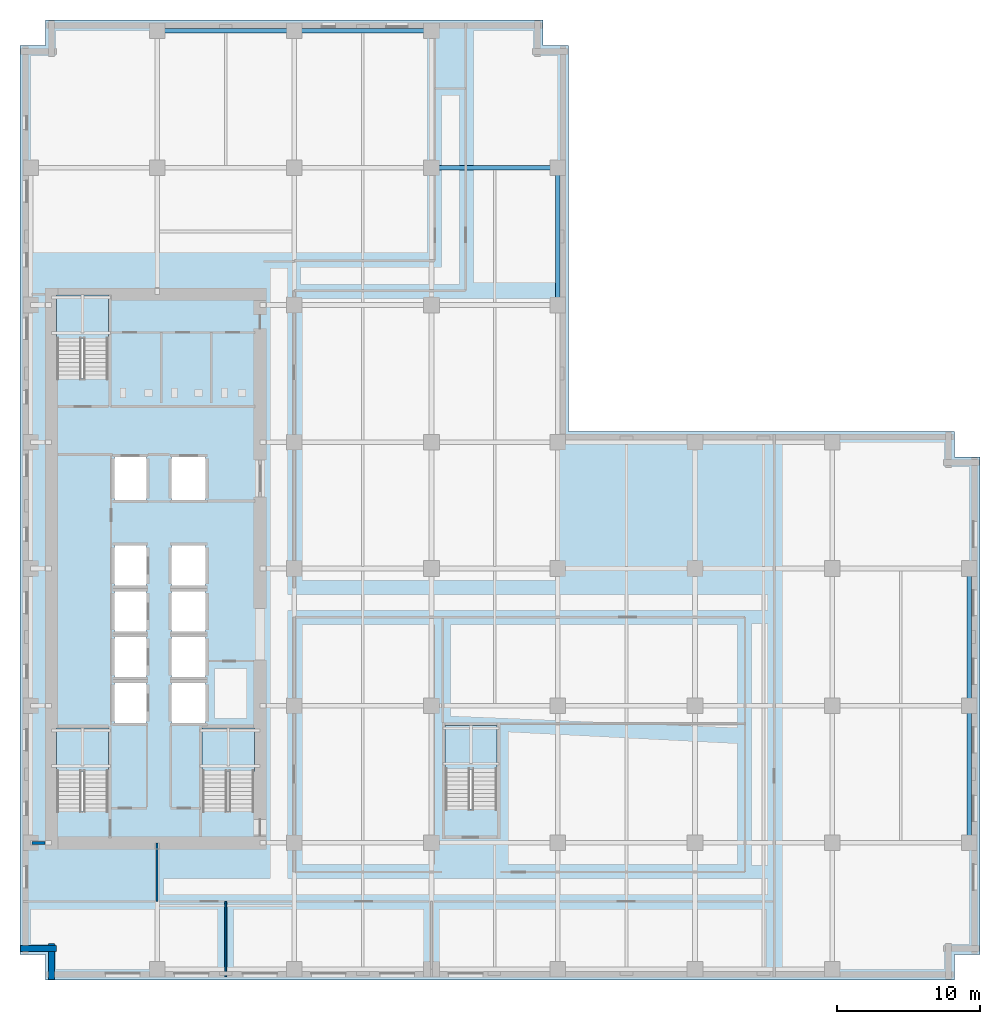
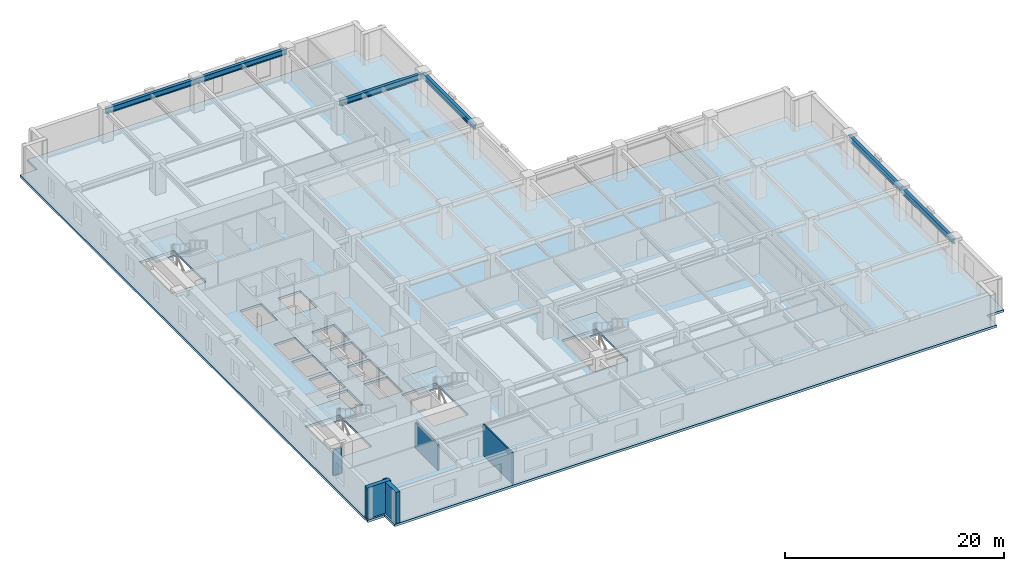
# One storey, part 3 of 15: 6 beams, 5 slabs, 5 walls, 4 elements without a shape of their own.
"""IFC4 building model written with IfcOpenShell, lengths in metres."""

from ifc_helpers import new_model, si_unit, direction, frame, frame_2d, origin, origin_2d, place, context, subcontext, project, spatial, polyline, rectangle, i_section, outline, extrude, material, layer, layer_set, material_profile, profile_set, type_object, element, aggregate, save


model = new_model("IFC4")

# Units and contexts
model_context = context("Model", 3, precision=1e-05, world=origin(), true_north=direction((0.0, 1.0)))
body_context = subcontext(model_context, "Body", "Model", "MODEL_VIEW")
ifc_project = project(units=[si_unit("LENGTHUNIT", "METRE"), si_unit("AREAUNIT", "SQUARE_METRE"), si_unit("VOLUMEUNIT", "CUBIC_METRE"), si_unit("PLANEANGLEUNIT", "RADIAN"), si_unit("MASSUNIT", "GRAM", prefix="KILO")], contexts=[model_context])

# Site, building, storey
site_placement = place(None, origin())
site = spatial("IfcSite", under=ifc_project, at=site_placement, CompositionType="ELEMENT")
building_placement = place(site_placement, origin())
building = spatial("IfcBuilding", under=site, at=building_placement, Name="Norrvale University Quadrangle", CompositionType="ELEMENT")
storey_placement = place(building_placement, frame((0.0, 0.0, 92.60009765625)))
storey = spatial("IfcBuildingStorey", under=building, at=storey_placement, Name="L23", CompositionType="ELEMENT", Elevation=92.60009765625)

# Beams
ifc_material_1 = material(Name="Steel 350W", Category="steel")
ifc_material_profile = material_profile(ifc_material_1, i_section(OverallWidth=0.324951171875, OverallDepth=0.615966796875, WebThickness=0.013916015625, FlangeThickness=0.021484375, FilletRadius=0.01611328125, at=origin_2d()), Name="Steel 350W")
ifc_profile_set = profile_set([ifc_material_profile], Name="Steel 350W")
beam_type = type_object("IfcBeamType", Name="Beam Belt W610x174", PredefinedType="BEAM", material=ifc_profile_set)
beam_1_placement = place(storey_placement, frame((28.800048828125, 56.85009765625, 3.171875), z_axis=(1.0, 0.0, 0.0), x_axis=(0.0, 1.0, 0.0)))
element("IfcBeam", 1, at=beam_1_placement, inside=storey, type_object=beam_type, Name="Beam Belt W610x174 BM-L23-GX030", PredefinedType="BEAM", context=body_context, shape_type="SweptSolid", body=[
    extrude(i_section(OverallWidth=0.324951171875, OverallDepth=0.615966796875, WebThickness=0.013916015625, FlangeThickness=0.021484375, FilletRadius=0.01611328125, at=origin_2d()), origin(), (0.0, 0.0, 1.0), 8.849853515625),
])
beam_2_placement = place(storey_placement, frame((9.60009765625, 66.449951171875, 3.171875), z_axis=(1.0, 0.0, 0.0), x_axis=(0.0, 1.0, 0.0)))
element("IfcBeam", 2, at=beam_2_placement, inside=storey, type_object=beam_type, Name="Beam Belt W610x174 BM-L23-GX031", PredefinedType="BEAM", context=body_context, shape_type="SweptSolid", body=[
    extrude(i_section(OverallWidth=0.324951171875, OverallDepth=0.615966796875, WebThickness=0.013916015625, FlangeThickness=0.021484375, FilletRadius=0.01611328125, at=origin_2d()), origin(), (0.0, 0.0, 1.0), 9.599853515625),
])
for number, where, z_axis, x_axis, name in (
    (3, (19.199951171875, 66.449951171875, 3.171875), (1.0, 0.0, 0.0), (0.0, 1.0, 0.0), "Beam Belt W610x174 BM-L23-GX032"),
    (4, (37.64990234375, 47.25, 3.171875), (0.0, 1.0, 0.0), (-1.0, 0.0, 0.0), "Beam Belt W610x174 BM-L23-GY058"),
):
    element("IfcBeam", number, at=place(storey_placement, frame(where, z_axis=z_axis, x_axis=x_axis)), inside=storey, type_object=beam_type, Name=name, PredefinedType="BEAM", context=body_context, shape_type="SweptSolid", body=[
        extrude(i_section(OverallWidth=0.324951171875, OverallDepth=0.615966796875, WebThickness=0.013916015625, FlangeThickness=0.021484375, FilletRadius=0.01611328125, at=origin_2d()), origin(), (0.0, 0.0, 1.0), 9.60009765625),
    ])
beam_3_placement = place(storey_placement, frame((66.449951171875, 9.60009765625, 3.171875), z_axis=(0.0, 1.0, 0.0), x_axis=(-1.0, 0.0, 0.0)))
element("IfcBeam", 5, at=beam_3_placement, inside=storey, type_object=beam_type, Name="Beam Belt W610x174 BM-L23-GY067", PredefinedType="BEAM", context=body_context, shape_type="SweptSolid", body=[
    extrude(i_section(OverallWidth=0.324951171875, OverallDepth=0.615966796875, WebThickness=0.013916015625, FlangeThickness=0.021484375, FilletRadius=0.01611328125, at=origin_2d()), origin(), (0.0, 0.0, 1.0), 9.599853515625),
])
beam_4_placement = place(storey_placement, frame((66.449951171875, 19.199951171875, 3.171875), z_axis=(0.0, 1.0, 0.0), x_axis=(-1.0, 0.0, 0.0)))
element("IfcBeam", 6, at=beam_4_placement, inside=storey, type_object=beam_type, Name="Beam Belt W610x174 BM-L23-GY068", PredefinedType="BEAM", context=body_context, shape_type="SweptSolid", body=[
    extrude(i_section(OverallWidth=0.324951171875, OverallDepth=0.615966796875, WebThickness=0.013916015625, FlangeThickness=0.021484375, FilletRadius=0.01611328125, at=origin_2d()), origin(), (0.0, 0.0, 1.0), 9.60009765625),
])

# Stair, slab
ifc_material_2 = material(Name="Concrete C40/50", Category="concrete")
stair_type = type_object("IfcStairType", Name="Stair Tower Typ 3800", PredefinedType="TWO_STRAIGHT_RUN_STAIR", material=ifc_material_2)
stair_1_placement = place(storey_placement, origin())
stair_1 = element("IfcStair", 7, at=stair_1_placement, inside=storey, type_object=stair_type, Name="Exit Stair ST-01 L23", PredefinedType="TWO_STRAIGHT_RUN_STAIR")
ifc_layer_1 = layer(ifc_material_2, 0.199951171875, Name="Concrete C40/50")
ifc_layer_set_1 = layer_set([ifc_layer_1], Name="Concrete C40/50")
slab_type_1 = type_object("IfcSlabType", Name="Slab Landing 200", PredefinedType="LANDING", material=ifc_layer_set_1)
slab_1_placement = place(storey_placement, frame((0.0, 0.0, 1.699951171875)))
slab_1 = element("IfcSlab", 8, at=slab_1_placement, type_object=slab_type_1, Name="Exit Stair ST-01 L23 Mid Landing", PredefinedType="LANDING", context=body_context, shape_type="SweptSolid", body=[
    extrude(outline(polyline([(2.550048828125, 14.590087890625), (6.199951171875, 14.590087890625), (6.199951171875, 17.64990234375), (2.550048828125, 17.64990234375), (2.550048828125, 14.590087890625)])), origin(), (0.0, 0.0, 1.0), 0.199951171875),
])
aggregate(stair_1, [slab_1])

stair_2_placement = place(storey_placement, origin())
stair_2 = element("IfcStair", 9, at=stair_2_placement, inside=storey, type_object=stair_type, Name="Exit Stair ST-02 L23", PredefinedType="TWO_STRAIGHT_RUN_STAIR")
slab_2_placement = place(storey_placement, frame((0.0, 0.0, 1.699951171875)))
slab_2 = element("IfcSlab", 10, at=slab_2_placement, type_object=slab_type_1, Name="Exit Stair ST-02 L23 Mid Landing", PredefinedType="LANDING", context=body_context, shape_type="SweptSolid", body=[
    extrude(outline(polyline([(2.550048828125, 44.889892578125), (6.199951171875, 44.889892578125), (6.199951171875, 47.949951171875), (2.550048828125, 47.949951171875), (2.550048828125, 44.889892578125)])), origin(), (0.0, 0.0, 1.0), 0.199951171875),
])
aggregate(stair_2, [slab_2])

stair_3_placement = place(storey_placement, origin())
stair_3 = element("IfcStair", 11, at=stair_3_placement, inside=storey, type_object=stair_type, Name="Exit Stair ST-03 L23", PredefinedType="TWO_STRAIGHT_RUN_STAIR")
slab_3_placement = place(storey_placement, frame((0.0, 0.0, 1.699951171875)))
slab_3 = element("IfcSlab", 12, at=slab_3_placement, type_object=slab_type_1, Name="Exit Stair ST-03 L23 Mid Landing", PredefinedType="LANDING", context=body_context, shape_type="SweptSolid", body=[
    extrude(outline(polyline([(12.75, 14.590087890625), (16.39990234375, 14.590087890625), (16.39990234375, 17.64990234375), (12.75, 17.64990234375), (12.75, 14.590087890625)])), origin(), (0.0, 0.0, 1.0), 0.199951171875),
])
aggregate(stair_3, [slab_3])

stair_4_placement = place(storey_placement, origin())
stair_4 = element("IfcStair", 13, at=stair_4_placement, inside=storey, type_object=stair_type, Name="Exit Stair ST-04 L23", PredefinedType="TWO_STRAIGHT_RUN_STAIR")
slab_4_placement = place(storey_placement, frame((0.0, 0.0, 1.699951171875)))
slab_4 = element("IfcSlab", 14, at=slab_4_placement, type_object=slab_type_1, Name="Exit Stair ST-04 L23 Mid Landing", PredefinedType="LANDING", context=body_context, shape_type="SweptSolid", body=[
    extrude(outline(polyline([(29.75, 14.739990234375), (33.39990234375, 14.739990234375), (33.39990234375, 17.800048828125), (29.75, 17.800048828125), (29.75, 14.739990234375)])), origin(), (0.0, 0.0, 1.0), 0.199951171875),
])
aggregate(stair_4, [slab_4])

# Slab
ifc_layer_2 = layer(ifc_material_2, 0.260009765625, Name="Concrete C40/50")
ifc_layer_set_2 = layer_set([ifc_layer_2], Name="Concrete C40/50")
slab_type_2 = type_object("IfcSlabType", Name="Slab Tower Typ 260", PredefinedType="FLOOR", material=ifc_layer_set_2)
slab_5_placement = place(storey_placement, frame((0.0, 0.0, -0.260009765625)))
element("IfcSlab", 15, at=slab_5_placement, inside=storey, type_object=slab_type_2, Name="Tower L23 Floor Slab", PredefinedType="FLOOR", context=body_context, shape_type="SweptSolid", body=[
    extrude(outline(polyline([(1.800048828125, 0.0), (65.39990234375, 0.0), (65.39990234375, 1.800048828125), (67.199951171875, 1.800048828125), (67.199951171875, 36.60009765625), (65.39990234375, 36.60009765625), (65.39990234375, 38.39990234375), (38.39990234375, 38.39990234375), (38.39990234375, 65.39990234375), (36.60009765625, 65.39990234375), (36.60009765625, 67.199951171875), (1.800048828125, 67.199951171875), (1.800048828125, 65.39990234375), (0.0, 65.39990234375), (0.0, 1.800048828125), (1.800048828125, 1.800048828125), (1.800048828125, 0.0)]), holes=[polyline([(2.550048828125, 11.81005859375), (6.199951171875, 11.81005859375), (6.199951171875, 17.64990234375), (2.550048828125, 17.64990234375), (2.550048828125, 11.81005859375)]), polyline([(2.550048828125, 42.110107421875), (6.199951171875, 42.110107421875), (6.199951171875, 47.949951171875), (2.550048828125, 47.949951171875), (2.550048828125, 42.110107421875)]), polyline([(12.75, 11.81005859375), (16.39990234375, 11.81005859375), (16.39990234375, 17.64990234375), (12.75, 17.64990234375), (12.75, 11.81005859375)]), polyline([(29.75, 11.9599609375), (33.39990234375, 11.9599609375), (33.39990234375, 17.800048828125), (29.75, 17.800048828125), (29.75, 11.9599609375)]), polyline([(6.60009765625, 18.0), (8.85009765625, 18.0), (8.85009765625, 20.800048828125), (6.60009765625, 20.800048828125), (6.60009765625, 18.0)]), polyline([(6.60009765625, 21.199951171875), (8.85009765625, 21.199951171875), (8.85009765625, 24.0), (6.60009765625, 24.0), (6.60009765625, 21.199951171875)]), polyline([(6.60009765625, 24.39990234375), (8.85009765625, 24.39990234375), (8.85009765625, 27.199951171875), (6.60009765625, 27.199951171875), (6.60009765625, 24.39990234375)]), polyline([(6.60009765625, 27.60009765625), (8.85009765625, 27.60009765625), (8.85009765625, 30.39990234375), (6.60009765625, 30.39990234375), (6.60009765625, 27.60009765625)]), polyline([(10.60009765625, 18.0), (13.0, 18.0), (13.0, 20.800048828125), (10.60009765625, 20.800048828125), (10.60009765625, 18.0)]), polyline([(10.60009765625, 21.199951171875), (13.0, 21.199951171875), (13.0, 24.0), (10.60009765625, 24.0), (10.60009765625, 21.199951171875)]), polyline([(10.60009765625, 24.39990234375), (13.0, 24.39990234375), (13.0, 27.199951171875), (10.60009765625, 27.199951171875), (10.60009765625, 24.39990234375)]), polyline([(10.60009765625, 27.60009765625), (13.0, 27.60009765625), (13.0, 30.39990234375), (10.60009765625, 30.39990234375), (10.60009765625, 27.60009765625)]), polyline([(6.60009765625, 33.60009765625), (8.85009765625, 33.60009765625), (8.85009765625, 36.60009765625), (6.60009765625, 36.60009765625), (6.60009765625, 33.60009765625)]), polyline([(10.60009765625, 33.60009765625), (13.0, 33.60009765625), (13.0, 36.60009765625), (10.60009765625, 36.60009765625), (10.60009765625, 33.60009765625)])]), origin(), (0.0, 0.0, 1.0), 0.260009765625),
])

# Walls
ifc_material_3 = material(Name="Buff Norman Clay Brick Masonry", Category="masonry")
ifc_layer_3 = layer(ifc_material_3, 0.419921875, Name="Buff Norman Clay Brick Masonry")
ifc_layer_set_3 = layer_set([ifc_layer_3], Name="Buff Norman Clay Brick Masonry")
wall_type_1 = type_object("IfcWallType", Name="Wall Buff Brick 420", PredefinedType="SOLIDWALL", material=ifc_layer_set_3)
for number, where, z_axis, x_axis, name in (
    (16, (0.0400390625, 2.18994140625, 0.0), (0.0, 0.0, 1.0), (1.0, 0.0, 0.0), "Exterior Brick Facade Wall L23-15.1"),
    (17, (2.18994140625, 2.5400390625, 0.0), (0.0, 0.0, 1.0), (0.0, -1.0, 0.0), "Exterior Brick Facade Wall L23-16.1"),
):
    element("IfcWall", number, at=place(storey_placement, frame(where, z_axis=z_axis, x_axis=x_axis)), inside=storey, type_object=wall_type_1, Name=name, PredefinedType="SOLIDWALL", context=body_context, shape_type="SweptSolid", body=[
        extrude(rectangle(XDim=2.5, YDim=0.419921875, at=frame_2d((1.25, 0.0))), origin(), (0.0, 0.0, 1.0), 3.47998046875),
    ])
ifc_material_4 = material(Name="Standard Academic Gypsum Partition")
ifc_layer_4 = layer(ifc_material_4, 0.125, Name="Standard Academic Gypsum Partition")
ifc_layer_set_4 = layer_set([ifc_layer_4], Name="Standard Academic Gypsum Partition")
wall_type_2 = type_object("IfcWallType", Name="Wall Gypsum Academic 125", PredefinedType="PARTITIONING", material=ifc_layer_set_4)
wall_1_placement = place(storey_placement, frame((14.39990234375, 0.219970703125, 0.0), z_axis=(0.0, 0.0, 1.0), x_axis=(0.0, 1.0, 0.0)))
element("IfcWall", 18, at=wall_1_placement, inside=storey, type_object=wall_type_2, Name="Interior Partition WL-L23-SP01", PredefinedType="PARTITIONING", context=body_context, shape_type="SweptSolid", body=[
    extrude(rectangle(XDim=5.280029296875, YDim=0.125, at=frame_2d((2.64013671875, 0.0))), origin(), (0.0, 0.0, 1.0), 3.47998046875),
])
ifc_material_5 = material(Name="Fire-Rated Gypsum Stud Partition")
ifc_layer_5 = layer(ifc_material_5, 0.14990234375, Name="Fire-Rated Gypsum Stud Partition")
ifc_layer_set_5 = layer_set([ifc_layer_5], Name="Fire-Rated Gypsum Stud Partition")
wall_type_3 = type_object("IfcWallType", Name="Wall Gypsum Corridor 150", PredefinedType="PARTITIONING", material=ifc_layer_set_5)
wall_2_placement = place(storey_placement, frame((9.60009765625, 5.5, 0.0), z_axis=(0.0, 0.0, 1.0), x_axis=(0.0, 1.0, 0.0)))
element("IfcWall", 19, at=wall_2_placement, inside=storey, type_object=wall_type_3, Name="Interior Partition WL-L23-CSW-END", PredefinedType="PARTITIONING", context=body_context, shape_type="SweptSolid", body=[
    extrude(rectangle(XDim=4.10009765625, YDim=0.14990234375, at=frame_2d((2.050048828125, 0.0))), origin(), (0.0, 0.0, 1.0), 2.864013671875),
])
ifc_material_6 = material(Name="Concrete Blockwork 20 MPa Rated Wall", Category="masonry")
ifc_layer_6 = layer(ifc_material_6, 0.199951171875, Name="Concrete Blockwork 20 MPa Rated Wall")
ifc_layer_set_6 = layer_set([ifc_layer_6], Name="Concrete Blockwork 20 MPa Rated Wall")
wall_type_4 = type_object("IfcWallType", Name="Wall Lobby 200", PredefinedType="SOLIDWALL", material=ifc_layer_set_6)
wall_3_placement = place(storey_placement, frame((0.85009765625, 9.60009765625, 0.0), z_axis=(0.0, 0.0, 1.0), x_axis=(1.0, 0.0, 0.0)))
element("IfcWall", 20, at=wall_3_placement, inside=storey, type_object=wall_type_4, Name="Interior Partition WL-L23-CWRET-S", PredefinedType="SOLIDWALL", context=body_context, shape_type="SweptSolid", body=[
    extrude(rectangle(XDim=0.89501953125, YDim=0.199951171875, at=frame_2d((0.447509765625, 0.0))), origin(), (0.0, 0.0, 1.0), 2.864013671875),
])

save(model, "model.ifc")
